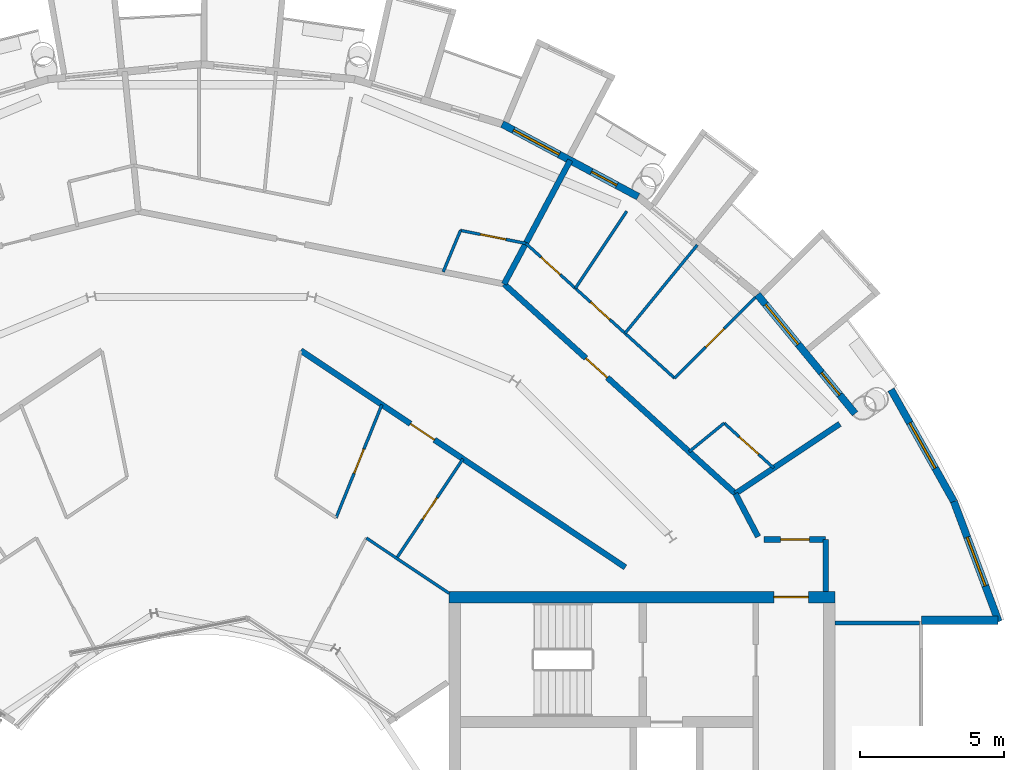
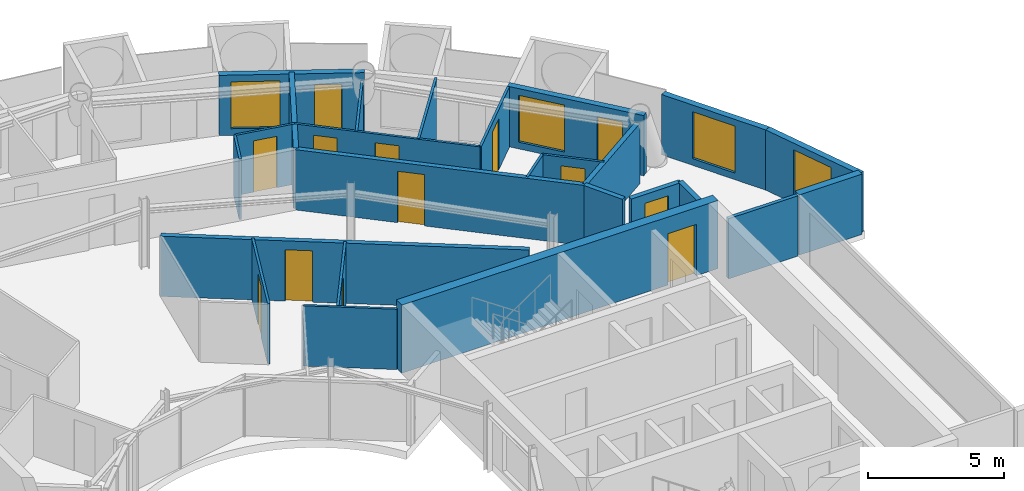
# One storey, part 23 of 28: 25 walls, 13 doors, 4 windows, 17 openings.
"""IFC4 building model written with IfcOpenShell, lengths in metres."""

import ifcopenshell
import ifcopenshell.guid

model = None  # the IFC model being written
_history = None  # IfcOwnerHistory: only IFC2X3 demands one
_inside = {}  # id of a spatial element -> (the spatial element, [elements in it])
_under = {}  # id of a project, library or spatial element -> (it, [spatial elements below it])
_declared = {}  # id of a project -> (the project, [libraries it declares])
_typed = {}  # id of a type object -> (the type object, [elements of that type])
_made_of = {}  # id of a material, layer set ... -> (it, [elements and type objects made of it])


def new_model(schema):
    """Start an empty IFC model of exactly this schema.

    Asked for "IFC4X3", IfcOpenShell would pick the latest addendum, in which some entities
    have other attributes; the version numbers below select the first issue.
    IFC2X3 requires an IfcOwnerHistory on every rooted entity: one is made here for all.
    """
    global model, _history
    if schema == "IFC4X3":
        model = ifcopenshell.file(schema_version=(4, 3, 0, 0))
    else:
        model = ifcopenshell.file(schema=schema)
    _inside.clear()
    _under.clear()
    _declared.clear()
    _typed.clear()
    _made_of.clear()
    _history = None
    if model.schema == "IFC2X3":
        org = make("IfcOrganization", Name="unknown")
        user = make(
            "IfcPersonAndOrganization",
            ThePerson=make("IfcPerson", FamilyName="unknown"),
            TheOrganization=org,
        )
        app = make(
            "IfcApplication",
            ApplicationDeveloper=org,
            Version="unknown",
            ApplicationFullName="unknown",
            ApplicationIdentifier="unknown",
        )
        _history = make(
            "IfcOwnerHistory",
            OwningUser=user,
            OwningApplication=app,
            ChangeAction="ADDED",
            CreationDate=0,
        )
    return model


def make(cls, **values):
    """One entity of the class cls with the attributes given. An attribute that is None is left unset."""
    return model.create_entity(
        cls, **{name: value for name, value in values.items() if value is not None}
    )


def rooted(cls, **values):
    """An entity with a GlobalId (a new one), such as an element, a storey or a relation."""
    return make(cls, GlobalId=ifcopenshell.guid.new(), OwnerHistory=_history, **values)


def si_unit(unit_type, name, prefix=None):
    """IfcSIUnit, for example si_unit("LENGTHUNIT", "METRE", prefix="MILLI")."""
    return make("IfcSIUnit", UnitType=unit_type, Prefix=prefix, Name=name)


def assignment(units):
    """IfcUnitAssignment: the units of a project."""
    return None if units is None else make("IfcUnitAssignment", Units=units)


def point(xyz):
    """IfcCartesianPoint."""
    return None if xyz is None else make("IfcCartesianPoint", Coordinates=xyz)


def direction(xyz):
    """IfcDirection."""
    return None if xyz is None else make("IfcDirection", DirectionRatios=xyz)


def frame(location, z_axis=None, x_axis=None):
    """IfcAxis2Placement3D, a coordinate frame: its origin and axes. An axis left out is left unset."""
    return make(
        "IfcAxis2Placement3D",
        Location=point(location),
        Axis=direction(z_axis),
        RefDirection=direction(x_axis),
    )


def frame_2d(location, x_axis=None):
    """IfcAxis2Placement2D, a coordinate frame in the plane: its origin and x axis."""
    return make(
        "IfcAxis2Placement2D", Location=point(location), RefDirection=direction(x_axis)
    )


def origin():
    """The frame at (0, 0, 0) with its axes left unset."""
    return frame((0.0, 0.0, 0.0))


def place(relative_to, where):
    """IfcLocalPlacement: puts the frame where relative to a parent placement (None: the world)."""
    return make(
        "IfcLocalPlacement", PlacementRelTo=relative_to, RelativePlacement=where
    )


def context(
    kind, dimensions, precision=None, world=None, true_north=None, identifier=None
):
    """IfcGeometricRepresentationContext, for example the 3D "Model" context."""
    return make(
        "IfcGeometricRepresentationContext",
        ContextIdentifier=identifier,
        ContextType=kind,
        CoordinateSpaceDimension=dimensions,
        Precision=precision,
        WorldCoordinateSystem=world,
        TrueNorth=true_north,
    )


def subcontext(parent, identifier, kind, view, scale=None):
    """IfcGeometricRepresentationSubContext, for example "Body" below "Model"."""
    return make(
        "IfcGeometricRepresentationSubContext",
        ContextIdentifier=identifier,
        ContextType=kind,
        ParentContext=parent,
        TargetScale=scale,
        TargetView=view,
    )


def project(units=None, contexts=None):
    """IfcProject with its units and contexts."""
    return rooted(
        "IfcProject",
        Name="project",
        RepresentationContexts=contexts,
        UnitsInContext=assignment(units),
    )


def spatial(cls, under=None, at=None, **own):
    """A site, building, storey or space (cls), placed at a placement, below another one or the project."""
    s = rooted(cls, ObjectPlacement=at, **own)
    if under is not None:
        _under.setdefault(under.id(), (under, []))[1].append(s)
    return s


def profile(cls, at=None, kind="AREA", **sizes):
    """A parametric profile (cls). Its sizes go by their IFC names, for example OverallWidth=200.0."""
    return make(cls, ProfileType=kind, Position=at, **sizes)


def rectangle(**sizes):
    """IfcRectangleProfileDef."""
    return profile("IfcRectangleProfileDef", **sizes)


def extrude(swept, where, along, depth):
    """IfcExtrudedAreaSolid: the profile swept, set in the frame where, extruded along a direction by depth."""
    return make(
        "IfcExtrudedAreaSolid",
        SweptArea=swept,
        Position=where,
        ExtrudedDirection=direction(along),
        Depth=depth,
    )


def shape(context_of_items, identifier, shape_type, items):
    """IfcShapeRepresentation: the items that make up one representation, for example the "Body"."""
    return make(
        "IfcShapeRepresentation",
        ContextOfItems=context_of_items,
        RepresentationIdentifier=identifier,
        RepresentationType=shape_type,
        Items=items,
    )


def material(Name=None, Category=None):
    """IfcMaterial."""
    return make("IfcMaterial", Name=Name, Category=Category)


def layer(
    of_material, thickness, ventilated=None, Name=None, Category=None, Priority=None
):
    """IfcMaterialLayer: one layer of a wall or slab, of a material (None: an air gap)."""
    return make(
        "IfcMaterialLayer",
        Material=of_material,
        LayerThickness=thickness,
        IsVentilated=ventilated,
        Name=Name,
        Category=Category,
        Priority=Priority,
    )


def layer_set(layers, Name=None):
    """IfcMaterialLayerSet."""
    return make("IfcMaterialLayerSet", MaterialLayers=layers, LayerSetName=Name)


def made_of(thing, what):
    """Note that an element or type object is made of a material, layer set ...; save() writes the relation."""
    if what is not None:
        _made_of.setdefault(what.id(), (what, []))[1].append(thing)
    return thing


def type_object(cls, material=None, **own):
    """A type object (cls), such as IfcWallType, which elements share."""
    return made_of(rooted(cls, **own), material)


def element(
    cls,
    number,
    at=None,
    inside=None,
    cuts=None,
    type_object=None,
    material=None,
    context=None,
    identifier="Body",
    shape_type=None,
    held_by="IfcProductDefinitionShape",
    body=None,
    shapes=None,
    **own,
):
    """One element of the class cls, such as IfcWall. Its Tag is "e" and its number.

    at: its placement. inside: the storey or other place that contains it. cuts: it is an
    opening in that element (IfcRelVoidsElement). A single representation is given by context,
    identifier, shape_type and body (its items); several are given by shapes. held_by: the class
    of the entity that holds the representations. save() writes the other relations.
    """
    e = rooted(cls, Tag="e%d" % number, ObjectPlacement=at, **own)
    if body is not None:
        shapes = [shape(context, identifier, shape_type, body)]
    if shapes is not None:
        e.Representation = make(held_by, Representations=shapes)
    if inside is not None:
        _inside.setdefault(inside.id(), (inside, []))[1].append(e)
    if cuts is not None:
        rooted(
            "IfcRelVoidsElement", RelatingBuildingElement=cuts, RelatedOpeningElement=e
        )
    if type_object is not None:
        _typed.setdefault(type_object.id(), (type_object, []))[1].append(e)
    return made_of(e, material)


def fill(opening, filler):
    """IfcRelFillsElement: the door or window that sits in an opening."""
    return rooted(
        "IfcRelFillsElement",
        RelatingOpeningElement=opening,
        RelatedBuildingElement=filler,
    )


def aggregate(whole, parts):
    """IfcRelAggregates: a whole, such as a stair, and the parts it consists of."""
    return rooted("IfcRelAggregates", RelatingObject=whole, RelatedObjects=parts)


def save(model, path):
    """Write the relations noted so far, then the file.

    IfcRelAggregates (storeys below a building ...), IfcRelContainedInSpatialStructure (elements
    in a storey), IfcRelDefinesByType, IfcRelAssociatesMaterial and IfcRelDeclares: one each for
    every whole, place, type object, material and project.
    """
    for whole, parts in _under.values():
        aggregate(whole, parts)
    for where, things in _inside.values():
        rooted(
            "IfcRelContainedInSpatialStructure",
            RelatedElements=things,
            RelatingStructure=where,
        )
    for kind, things in _typed.values():
        rooted("IfcRelDefinesByType", RelatedObjects=things, RelatingType=kind)
    for what, things in _made_of.values():
        rooted("IfcRelAssociatesMaterial", RelatedObjects=things, RelatingMaterial=what)
    for by, libraries in _declared.values():
        rooted("IfcRelDeclares", RelatingContext=by, RelatedDefinitions=libraries)
    model.write(path)


model = new_model("IFC4")

# Units and contexts
model_context = context("Model", 3, precision=1e-05, world=origin(), true_north=direction((0.0, 1.0)))
body_context = subcontext(model_context, "Body", "Model", "MODEL_VIEW")
ifc_project = project(units=[si_unit("LENGTHUNIT", "METRE"), si_unit("AREAUNIT", "SQUARE_METRE"), si_unit("VOLUMEUNIT", "CUBIC_METRE"), si_unit("PLANEANGLEUNIT", "RADIAN"), si_unit("MASSUNIT", "GRAM", prefix="KILO")], contexts=[model_context])

# Site, building, storey
site_placement = place(None, origin())
site = spatial("IfcSite", under=ifc_project, at=site_placement, CompositionType="ELEMENT")
building_placement = place(site_placement, origin())
building = spatial("IfcBuilding", under=site, at=building_placement, Name="Maasbend Ring Residences", CompositionType="ELEMENT")
storey_placement = place(building_placement, frame((0.0, 0.0, 231.0)))
storey = spatial("IfcBuildingStorey", under=building, at=storey_placement, Name="L66", CompositionType="ELEMENT", Elevation=231.0)

# Wall, opening, door
ifc_material_1 = material(Name="Concrete C50/60", Category="concrete")
ifc_layer_1 = layer(ifc_material_1, 0.39990234375)
ifc_layer_set_1 = layer_set([ifc_layer_1], Name="Concrete C50/60")
wall_type_1 = type_object("IfcWallType", Name="CORE WALL 400 C50/60", PredefinedType="SHEAR", material=ifc_layer_set_1)
wall_1_placement = place(storey_placement, frame((22.0, 8.800048828125, 0.0), z_axis=(0.0, 0.0, 1.0), x_axis=(-1.0, 0.0, 0.0)))
wall_1 = element("IfcWall", 1, at=wall_1_placement, inside=storey, type_object=wall_type_1, Name="L66 core E wall PN", PredefinedType="SHEAR", context=body_context, shape_type="SweptSolid", body=[
    extrude(rectangle(XDim=13.39990234375, YDim=0.39990234375, at=frame_2d((6.699951171875, 0.0))), origin(), (0.0, 0.0, 1.0), 3.050048828125),
])
opening_1_placement = place(wall_1_placement, frame((0.925048828125, 0.0, 0.0)))
opening_1 = element("IfcOpeningElement", 2, at=opening_1_placement, cuts=wall_1, Name="Opening D-E6614", PredefinedType="OPENING", context=body_context, shape_type="SweptSolid", body=[
    extrude(rectangle(XDim=1.199951171875, YDim=2.300048828125, at=frame_2d((0.60009765625, 1.14990234375))), frame((0.0, 0.2099609375, 0.0), z_axis=(0.0, -1.0, 0.0), x_axis=(1.0, 0.0, 0.0)), (0.0, 0.0, 1.0), 0.419921875),
])
ifc_material_2 = material(Name="Steel, powder coated", Category="steel")
door_type_1 = type_object("IfcDoorType", Name="CORRIDOR DOOR 1200 X 2300 FD30S", OperationType="NOTDEFINED", PredefinedType="DOOR", material=ifc_material_2)
door_1_placement = place(opening_1_placement, origin())
door_1 = element("IfcDoor", 3, at=door_1_placement, inside=storey, type_object=door_type_1, Name="Corridor door L66", OperationType="SINGLE_SWING_RIGHT", OverallHeight=2.300048828125, OverallWidth=1.199951171875, PredefinedType="DOOR", context=body_context, shape_type="SweptSolid", body=[
    extrude(rectangle(XDim=1.199951171875, YDim=2.300048828125, at=frame_2d((0.60009765625, 1.14990234375))), frame((0.0, 0.02490234375, 0.0), z_axis=(0.0, -1.0, 0.0), x_axis=(1.0, 0.0, 0.0)), (0.0, 0.0, 1.0), 0.050048828125),
])
fill(opening_1, door_1)

# Wall
ifc_material_3 = material(Name="Concrete C30/37", Category="concrete")
ifc_layer_2 = layer(ifc_material_3, 0.199951171875)
ifc_layer_set_2 = layer_set([ifc_layer_2], Name="Concrete C30/37")
wall_type_2 = type_object("IfcWallType", Name="CORRIDOR WALL 200 CONCRETE", PredefinedType="PARTITIONING", material=ifc_layer_set_2)
wall_2_placement = place(storey_placement, frame((21.675048828125, 9.0, 0.0), z_axis=(0.0, 0.0, 1.0), x_axis=(0.0, 1.0, 0.0)))
element("IfcWall", 4, at=wall_2_placement, inside=storey, type_object=wall_type_2, Name="U-L66-w013", PredefinedType="PARTITIONING", context=body_context, shape_type="SweptSolid", body=[
    extrude(rectangle(XDim=1.800048828125, YDim=0.199951171875, at=frame_2d((0.89990234375, 0.0))), origin(), (0.0, 0.0, 1.0), 2.699951171875),
])

# Wall, opening, door
wall_3_placement = place(storey_placement, frame((19.54296875, 10.800048828125, 0.0), z_axis=(0.0, 0.0, 1.0), x_axis=(1.0, 0.0, 0.0)))
wall_3 = element("IfcWall", 5, at=wall_3_placement, inside=storey, type_object=wall_type_2, Name="U-L66-w086", PredefinedType="PARTITIONING", context=body_context, shape_type="SweptSolid", body=[
    extrude(rectangle(XDim=2.132080078125, YDim=0.199951171875, at=frame_2d((1.06591796875, 0.0))), origin(), (0.0, 0.0, 1.0), 2.699951171875),
])
opening_2_placement = place(wall_3_placement, frame((0.56591796875, 0.0, 0.0)))
opening_2 = element("IfcOpeningElement", 6, at=opening_2_placement, cuts=wall_3, Name="Opening D-6660", PredefinedType="OPENING", context=body_context, shape_type="SweptSolid", body=[
    extrude(rectangle(XDim=1.0, YDim=2.300048828125, at=frame_2d((0.5, 1.14990234375))), frame((0.0, 0.10986328125, 0.0), z_axis=(0.0, -1.0, 0.0), x_axis=(1.0, 0.0, 0.0)), (0.0, 0.0, 1.0), 0.219970703125),
])
ifc_material_4 = material(Name="Timber, painted", Category="wood")
door_type_2 = type_object("IfcDoorType", Name="ROOM DOOR 1000 X 2300", OperationType="NOTDEFINED", PredefinedType="DOOR", material=ifc_material_4)
door_2_placement = place(opening_2_placement, origin())
door_2 = element("IfcDoor", 7, at=door_2_placement, inside=storey, type_object=door_type_2, Name="D-6660", OperationType="SINGLE_SWING_RIGHT", OverallHeight=2.300048828125, OverallWidth=1.0, PredefinedType="DOOR", context=body_context, shape_type="SweptSolid", body=[
    extrude(rectangle(XDim=1.0, YDim=2.300048828125, at=frame_2d((0.5, 1.14990234375))), frame((0.0, 0.02490234375, 0.0), z_axis=(0.0, -1.0, 0.0), x_axis=(1.0, 0.0, 0.0)), (0.0, 0.0, 1.0), 0.050048828125),
])
fill(opening_2, door_2)

wall_4_placement = place(storey_placement, frame((3.452880859375, 17.360107421875, 0.0), z_axis=(0.0, 0.0, 1.0), x_axis=(0.831437137577, -0.555618831806, 0.0)))
wall_4 = element("IfcWall", 8, at=wall_4_placement, inside=storey, type_object=wall_type_2, Name="U-L66-w092", PredefinedType="PARTITIONING", context=body_context, shape_type="SweptSolid", body=[
    extrude(rectangle(XDim=13.549072265625, YDim=0.199951171875, at=frame_2d((6.7744140625, 0.0))), origin(), (0.0, 0.0, 1.0), 2.699951171875),
])
opening_3_placement = place(wall_4_placement, frame((4.5810546875, 0.0, 0.0)))
opening_3 = element("IfcOpeningElement", 9, at=opening_3_placement, cuts=wall_4, Name="Opening D-6619", PredefinedType="OPENING", context=body_context, shape_type="SweptSolid", body=[
    extrude(rectangle(XDim=1.0, YDim=2.300048828125, at=frame_2d((0.5, 1.14990234375))), frame((0.0, 0.10986328125, 0.0), z_axis=(0.0, -1.0, 0.0), x_axis=(1.0, 0.0, 0.0)), (0.0, 0.0, 1.0), 0.219970703125),
])
ifc_material_5 = material(Name="Timber, fire-rated, painted", Category="wood")
door_type_3 = type_object("IfcDoorType", Name="FLAT ENTRANCE DOOR 1000 X 2300 FIRE-RATED", OperationType="NOTDEFINED", PredefinedType="DOOR", material=ifc_material_5)
door_3_placement = place(opening_3_placement, origin())
door_3 = element("IfcDoor", 10, at=door_3_placement, inside=storey, type_object=door_type_3, Name="D-6619", OperationType="SINGLE_SWING_LEFT", OverallHeight=2.300048828125, OverallWidth=1.0, PredefinedType="DOOR", context=body_context, shape_type="SweptSolid", body=[
    extrude(rectangle(XDim=1.0, YDim=2.300048828125, at=frame_2d((0.5, 1.14990234375))), frame((0.0, 0.02490234375, 0.0), z_axis=(0.0, -1.0, 0.0), x_axis=(1.0, 0.0, 0.0)), (0.0, 0.0, 1.0), 0.050048828125),
])
fill(opening_3, door_3)

wall_5_placement = place(storey_placement, frame((10.511962890625, 19.6669921875, 0.0), z_axis=(0.0, 0.0, 1.0), x_axis=(0.740947367223, -0.671563101283, 0.0)))
wall_5 = element("IfcWall", 11, at=wall_5_placement, inside=storey, type_object=wall_type_2, Name="U-L66-w095", PredefinedType="PARTITIONING", context=body_context, shape_type="SweptSolid", body=[
    extrude(rectangle(XDim=10.83740234375, YDim=0.199951171875, at=frame_2d((5.418701171875, 0.0))), origin(), (0.0, 0.0, 1.0), 2.699951171875),
])
opening_4_placement = place(wall_5_placement, frame((3.8349609375, 0.0, 0.0)))
opening_4 = element("IfcOpeningElement", 12, at=opening_4_placement, cuts=wall_5, Name="Opening D-6601", PredefinedType="OPENING", context=body_context, shape_type="SweptSolid", body=[
    extrude(rectangle(XDim=1.0, YDim=2.300048828125, at=frame_2d((0.5, 1.14990234375))), frame((0.0, 0.10986328125, 0.0), z_axis=(0.0, -1.0, 0.0), x_axis=(1.0, 0.0, 0.0)), (0.0, 0.0, 1.0), 0.219970703125),
])
door_4_placement = place(opening_4_placement, origin())
door_4 = element("IfcDoor", 13, at=door_4_placement, inside=storey, type_object=door_type_3, Name="D-6601", OperationType="SINGLE_SWING_LEFT", OverallHeight=2.300048828125, OverallWidth=1.0, PredefinedType="DOOR", context=body_context, shape_type="SweptSolid", body=[
    extrude(rectangle(XDim=1.0, YDim=2.300048828125, at=frame_2d((0.5, 1.14990234375))), frame((0.0, 0.02490234375, 0.0), z_axis=(0.0, -1.0, 0.0), x_axis=(1.0, 0.0, 0.0)), (0.0, 0.0, 1.0), 0.050048828125),
])
fill(opening_4, door_4)

# Wall
wall_6_placement = place(storey_placement, frame((18.5419921875, 12.388916015625, 0.0), z_axis=(0.0, 0.0, 1.0), x_axis=(0.465812036273, -0.88488369115, 0.0)))
element("IfcWall", 14, at=wall_6_placement, inside=storey, type_object=wall_type_2, Name="U-L66-w100", PredefinedType="PARTITIONING", context=body_context, shape_type="SweptSolid", body=[
    extrude(rectangle(XDim=1.687255859375, YDim=0.199951171875, at=frame_2d((0.84375, 0.0))), origin(), (0.0, 0.0, 1.0), 2.699951171875),
])

# Wall, openings, door, window
ifc_material_6 = material(Name="Aluminium clad insulated panel", Category="aluminium")
ifc_layer_3 = layer(ifc_material_6, 0.25)
ifc_layer_set_3 = layer_set([ifc_layer_3], Name="EW-GL")
wall_type_3 = type_object("IfcWallType", Name="EW-GL", PredefinedType="SOLIDWALL", material=ifc_layer_set_3)
wall_7_placement = place(storey_placement, frame((22.698974609375, 15.1669921875, 0.0), z_axis=(0.0, 0.0, 1.0), x_axis=(-0.634382322723, 0.773019449054, 0.0)))
wall_7 = element("IfcWall", 15, at=wall_7_placement, inside=storey, type_object=wall_type_3, Name="External wall N01", PredefinedType="SOLIDWALL", context=body_context, shape_type="SweptSolid", body=[
    extrude(rectangle(XDim=5.351806640625, YDim=0.25, at=frame_2d((2.67578125, 0.0))), origin(), (0.0, 0.0, 1.0), 2.699951171875),
])
opening_5_placement = place(wall_7_placement, frame((0.841064453125, 0.0, 0.0)))
opening_5 = element("IfcOpeningElement", 16, at=opening_5_placement, cuts=wall_7, Name="Opening D-LG", PredefinedType="OPENING", context=body_context, shape_type="SweptSolid", body=[
    extrude(rectangle(XDim=1.0, YDim=2.199951171875, at=frame_2d((0.5, 1.10009765625))), frame((0.0, 0.135009765625, 0.0), z_axis=(0.0, -1.0, 0.0), x_axis=(1.0, 0.0, 0.0)), (0.0, 0.0, 1.0), 0.27001953125),
])
opening_6_placement = place(wall_7_placement, frame((3.110595703125, 0.0, 0.300048828125)))
opening_6 = element("IfcOpeningElement", 17, at=opening_6_placement, cuts=wall_7, Name="Opening W-BX", PredefinedType="OPENING", context=body_context, shape_type="SweptSolid", body=[
    extrude(rectangle(XDim=1.800048828125, YDim=2.10009765625, at=frame_2d((0.89990234375, 1.050048828125))), frame((0.0, 0.135009765625, 0.0), z_axis=(0.0, -1.0, 0.0), x_axis=(1.0, 0.0, 0.0)), (0.0, 0.0, 1.0), 0.27001953125),
])
ifc_material_7 = material(Name="Aluminium and clear glass", Category="aluminium")
door_type_4 = type_object("IfcDoorType", Name="D-LG", OperationType="SINGLE_SWING_LEFT", PredefinedType="DOOR", material=ifc_material_7)
door_5_placement = place(opening_5_placement, origin())
door_5 = element("IfcDoor", 18, at=door_5_placement, inside=storey, type_object=door_type_4, Name="Loggia door N01", OperationType="SINGLE_SWING_LEFT", OverallHeight=2.199951171875, OverallWidth=1.0, PredefinedType="DOOR", context=body_context, shape_type="SweptSolid", body=[
    extrude(rectangle(XDim=1.0, YDim=2.199951171875, at=frame_2d((0.5, 1.10009765625))), frame((0.0, 0.02490234375, 0.0), z_axis=(0.0, -1.0, 0.0), x_axis=(1.0, 0.0, 0.0)), (0.0, 0.0, 1.0), 0.050048828125),
])
fill(opening_5, door_5)
ifc_material_8 = material(Name="Aluminium and clear glass", Category="aluminium")
window_type = type_object("IfcWindowType", Name="W-BX", PartitioningType="DOUBLE_PANEL_VERTICAL", PredefinedType="WINDOW", material=ifc_material_8)
window_1_placement = place(opening_6_placement, origin())
window_1 = element("IfcWindow", 19, at=window_1_placement, inside=storey, type_object=window_type, Name="Window N02 room to box", OverallHeight=2.10009765625, OverallWidth=1.800048828125, PartitioningType="SINGLE_PANEL", PredefinedType="WINDOW", context=body_context, shape_type="SweptSolid", body=[
    extrude(rectangle(XDim=1.800048828125, YDim=2.10009765625, at=frame_2d((0.89990234375, 1.050048828125))), frame((0.0, 0.030029296875, 0.0), z_axis=(0.0, -1.0, 0.0), x_axis=(1.0, 0.0, 0.0)), (0.0, 0.0, 1.0), 0.06005859375),
])
fill(opening_6, window_1)

wall_8_placement = place(storey_placement, frame((15.1669921875, 22.698974609375, 0.0), z_axis=(0.0, 0.0, 1.0), x_axis=(-0.881915646801, 0.471407246368, 0.0)))
wall_8 = element("IfcWall", 20, at=wall_8_placement, inside=storey, type_object=wall_type_3, Name="External wall N03", PredefinedType="SOLIDWALL", context=body_context, shape_type="SweptSolid", body=[
    extrude(rectangle(XDim=5.35205078125, YDim=0.25, at=frame_2d((2.676025390625, 0.0))), origin(), (0.0, 0.0, 1.0), 2.699951171875),
])
opening_7_placement = place(wall_8_placement, frame((0.841064453125, 0.0, 0.0)))
opening_7 = element("IfcOpeningElement", 21, at=opening_7_placement, cuts=wall_8, Name="Opening D-LG", PredefinedType="OPENING", context=body_context, shape_type="SweptSolid", body=[
    extrude(rectangle(XDim=1.0, YDim=2.199951171875, at=frame_2d((0.5, 1.10009765625))), frame((0.0, 0.135009765625, 0.0), z_axis=(0.0, -1.0, 0.0), x_axis=(1.0, 0.0, 0.0)), (0.0, 0.0, 1.0), 0.27001953125),
])
opening_8_placement = place(wall_8_placement, frame((3.110595703125, 0.0, 0.300048828125)))
opening_8 = element("IfcOpeningElement", 22, at=opening_8_placement, cuts=wall_8, Name="Opening W-BX", PredefinedType="OPENING", context=body_context, shape_type="SweptSolid", body=[
    extrude(rectangle(XDim=1.800048828125, YDim=2.10009765625, at=frame_2d((0.89990234375, 1.050048828125))), frame((0.0, 0.135009765625, 0.0), z_axis=(0.0, -1.0, 0.0), x_axis=(1.0, 0.0, 0.0)), (0.0, 0.0, 1.0), 0.27001953125),
])
door_6_placement = place(opening_7_placement, origin())
door_6 = element("IfcDoor", 23, at=door_6_placement, inside=storey, type_object=door_type_4, Name="Loggia door N05", OperationType="SINGLE_SWING_LEFT", OverallHeight=2.199951171875, OverallWidth=1.0, PredefinedType="DOOR", context=body_context, shape_type="SweptSolid", body=[
    extrude(rectangle(XDim=1.0, YDim=2.199951171875, at=frame_2d((0.5, 1.10009765625))), frame((0.0, 0.02490234375, 0.0), z_axis=(0.0, -1.0, 0.0), x_axis=(1.0, 0.0, 0.0)), (0.0, 0.0, 1.0), 0.050048828125),
])
fill(opening_7, door_6)
window_2_placement = place(opening_8_placement, origin())
window_2 = element("IfcWindow", 24, at=window_2_placement, inside=storey, type_object=window_type, Name="Window N06 room to box", OverallHeight=2.10009765625, OverallWidth=1.800048828125, PartitioningType="SINGLE_PANEL", PredefinedType="WINDOW", context=body_context, shape_type="SweptSolid", body=[
    extrude(rectangle(XDim=1.800048828125, YDim=2.10009765625, at=frame_2d((0.89990234375, 1.050048828125))), frame((0.0, 0.030029296875, 0.0), z_axis=(0.0, -1.0, 0.0), x_axis=(1.0, 0.0, 0.0)), (0.0, 0.0, 1.0), 0.06005859375),
])
fill(opening_8, window_2)

# Wall, opening, window
ifc_material_9 = material(Name="Aluminium clad insulated panel", Category="aluminium")
ifc_layer_4 = layer(ifc_material_9, 0.25)
ifc_layer_set_4 = layer_set([ifc_layer_4], Name="EW-HORN")
wall_type_4 = type_object("IfcWallType", Name="EW-HORN", PredefinedType="SOLIDWALL", material=ifc_layer_set_4)
wall_9_placement = place(storey_placement, frame((27.681884765625, 7.945068359375, 0.0), z_axis=(0.0, 0.0, 1.0), x_axis=(-0.349247811493, 0.937030397675, 0.0)))
wall_9 = element("IfcWall", 25, at=wall_9_placement, inside=storey, type_object=wall_type_4, Name="Horn wall 1.1", PredefinedType="SOLIDWALL", context=body_context, shape_type="SweptSolid", body=[
    extrude(rectangle(XDim=4.4521484375, YDim=0.25, at=frame_2d((2.22607421875, 0.0))), origin(), (0.0, 0.0, 1.0), 2.699951171875),
])
opening_9_placement = place(wall_9_placement, frame((1.32666015625, 0.0, 0.300048828125)))
opening_9 = element("IfcOpeningElement", 26, at=opening_9_placement, cuts=wall_9, Name="Opening W-BX", PredefinedType="OPENING", context=body_context, shape_type="SweptSolid", body=[
    extrude(rectangle(XDim=1.800048828125, YDim=2.10009765625, at=frame_2d((0.89990234375, 1.050048828125))), frame((0.0, 0.135009765625, 0.0), z_axis=(0.0, -1.0, 0.0), x_axis=(1.0, 0.0, 0.0)), (0.0, 0.0, 1.0), 0.27001953125),
])
window_3_placement = place(opening_9_placement, origin())
window_3 = element("IfcWindow", 27, at=window_3_placement, inside=storey, type_object=window_type, Name="Horn window 1.1", OverallHeight=2.10009765625, OverallWidth=1.800048828125, PartitioningType="SINGLE_PANEL", PredefinedType="WINDOW", context=body_context, shape_type="SweptSolid", body=[
    extrude(rectangle(XDim=1.800048828125, YDim=2.10009765625, at=frame_2d((0.89990234375, 1.050048828125))), frame((0.0, 0.030029296875, 0.0), z_axis=(0.0, -1.0, 0.0), x_axis=(1.0, 0.0, 0.0)), (0.0, 0.0, 1.0), 0.06005859375),
])
fill(opening_9, window_3)

wall_10_placement = place(storey_placement, frame((26.126953125, 12.116943359375, 0.0), z_axis=(0.0, 0.0, 1.0), x_axis=(-0.489696356642, 0.871893042919, 0.0)))
wall_10 = element("IfcWall", 28, at=wall_10_placement, inside=storey, type_object=wall_type_4, Name="Horn wall 1.2", PredefinedType="SOLIDWALL", context=body_context, shape_type="SweptSolid", body=[
    extrude(rectangle(XDim=4.45361328125, YDim=0.25, at=frame_2d((2.226806640625, 0.0))), origin(), (0.0, 0.0, 1.0), 2.699951171875),
])
opening_10_placement = place(wall_10_placement, frame((1.32666015625, 0.0, 0.300048828125)))
opening_10 = element("IfcOpeningElement", 29, at=opening_10_placement, cuts=wall_10, Name="Opening W-BX", PredefinedType="OPENING", context=body_context, shape_type="SweptSolid", body=[
    extrude(rectangle(XDim=1.800048828125, YDim=2.10009765625, at=frame_2d((0.89990234375, 1.050048828125))), frame((0.0, 0.135009765625, 0.0), z_axis=(0.0, -1.0, 0.0), x_axis=(1.0, 0.0, 0.0)), (0.0, 0.0, 1.0), 0.27001953125),
])
window_4_placement = place(opening_10_placement, origin())
window_4 = element("IfcWindow", 30, at=window_4_placement, inside=storey, type_object=window_type, Name="Horn window 1.2", OverallHeight=2.10009765625, OverallWidth=1.800048828125, PartitioningType="SINGLE_PANEL", PredefinedType="WINDOW", context=body_context, shape_type="SweptSolid", body=[
    extrude(rectangle(XDim=1.800048828125, YDim=2.10009765625, at=frame_2d((0.89990234375, 1.050048828125))), frame((0.0, 0.030029296875, 0.0), z_axis=(0.0, -1.0, 0.0), x_axis=(1.0, 0.0, 0.0)), (0.0, 0.0, 1.0), 0.06005859375),
])
fill(opening_10, window_4)

# Wall
ifc_material_10 = material(Name="Aluminium clad insulated panel", Category="aluminium")
ifc_layer_5 = layer(ifc_material_10, 0.300048828125)
ifc_layer_set_5 = layer_set([ifc_layer_5], Name="EW-RET")
wall_type_5 = type_object("IfcWallType", Name="EW-RET", PredefinedType="SOLIDWALL", material=ifc_layer_set_5)
wall_11_placement = place(storey_placement, frame((25.0, 8.0, 0.0), z_axis=(0.0, 0.0, 1.0), x_axis=(1.0, 0.0, 0.0)))
element("IfcWall", 31, at=wall_11_placement, inside=storey, type_object=wall_type_5, Name="Notch return wall east north", PredefinedType="SOLIDWALL", context=body_context, shape_type="SweptSolid", body=[
    extrude(rectangle(XDim=2.6669921875, YDim=0.300048828125, at=frame_2d((1.33349609375, 0.0))), origin(), (0.0, 0.0, 1.0), 2.699951171875),
])

# Wall, opening, door
ifc_material_11 = material(Name="Gypsum board on steel studs", Category="steel")
ifc_layer_6 = layer(ifc_material_11, 0.10009765625)
ifc_layer_set_6 = layer_set([ifc_layer_6], Name="PARTITION 100 GYPSUM")
wall_type_6 = type_object("IfcWallType", Name="PARTITION 100 GYPSUM", PredefinedType="PARTITIONING", material=ifc_layer_set_6)
wall_12_placement = place(storey_placement, frame((4.677978515625, 11.551025390625, 0.0), z_axis=(0.0, 0.0, 1.0), x_axis=(0.375509828455, 0.926818411952, 0.0)))
wall_12 = element("IfcWall", 32, at=wall_12_placement, inside=storey, type_object=wall_type_6, Name="U-L66-w062", PredefinedType="PARTITIONING", context=body_context, shape_type="SweptSolid", body=[
    extrude(rectangle(XDim=4.237060546875, YDim=0.10009765625, at=frame_2d((2.11865234375, 0.0))), origin(), (0.0, 0.0, 1.0), 2.699951171875),
])
opening_11_placement = place(wall_12_placement, frame((1.6689453125, 0.0, 0.0)))
opening_11 = element("IfcOpeningElement", 33, at=opening_11_placement, cuts=wall_12, Name="Opening D-6620", PredefinedType="OPENING", context=body_context, shape_type="SweptSolid", body=[
    extrude(rectangle(XDim=0.89990234375, YDim=2.300048828125, at=frame_2d((0.449951171875, 1.14990234375))), frame((0.0, 0.06005859375, 0.0), z_axis=(0.0, -1.0, 0.0), x_axis=(1.0, 0.0, 0.0)), (0.0, 0.0, 1.0), 0.1201171875),
])
ifc_material_12 = material(Name="Timber, painted", Category="wood")
door_type_5 = type_object("IfcDoorType", Name="INTERNAL DOOR 900 X 2300", OperationType="NOTDEFINED", PredefinedType="DOOR", material=ifc_material_12)
door_7_placement = place(opening_11_placement, origin())
door_7 = element("IfcDoor", 34, at=door_7_placement, inside=storey, type_object=door_type_5, Name="D-6620", OperationType="SINGLE_SWING_RIGHT", OverallHeight=2.300048828125, OverallWidth=0.89990234375, PredefinedType="DOOR", context=body_context, shape_type="SweptSolid", body=[
    extrude(rectangle(XDim=0.89990234375, YDim=2.300048828125, at=frame_2d((0.449951171875, 1.14990234375))), frame((0.0, 0.02490234375, 0.0), z_axis=(0.0, -1.0, 0.0), x_axis=(1.0, 0.0, 0.0)), (0.0, 0.0, 1.0), 0.050048828125),
])
fill(opening_11, door_7)

wall_13_placement = place(storey_placement, frame((6.780029296875, 10.14697265625, 0.0), z_axis=(0.0, 0.0, 1.0), x_axis=(0.555528237031, 0.831497671591, 0.0)))
wall_13 = element("IfcWall", 35, at=wall_13_placement, inside=storey, type_object=wall_type_6, Name="U-L66-w066", PredefinedType="PARTITIONING", context=body_context, shape_type="SweptSolid", body=[
    extrude(rectangle(XDim=4.149169921875, YDim=0.10009765625, at=frame_2d((2.07470703125, 0.0))), origin(), (0.0, 0.0, 1.0), 2.699951171875),
])
opening_12_placement = place(wall_13_placement, frame((1.625, 0.0, 0.0)))
opening_12 = element("IfcOpeningElement", 36, at=opening_12_placement, cuts=wall_13, Name="Opening D-6621", PredefinedType="OPENING", context=body_context, shape_type="SweptSolid", body=[
    extrude(rectangle(XDim=0.89990234375, YDim=2.300048828125, at=frame_2d((0.449951171875, 1.14990234375))), frame((0.0, 0.06005859375, 0.0), z_axis=(0.0, -1.0, 0.0), x_axis=(1.0, 0.0, 0.0)), (0.0, 0.0, 1.0), 0.1201171875),
])
door_8_placement = place(opening_12_placement, origin())
door_8 = element("IfcDoor", 37, at=door_8_placement, inside=storey, type_object=door_type_5, Name="D-6621", OperationType="SINGLE_SWING_RIGHT", OverallHeight=2.300048828125, OverallWidth=0.89990234375, PredefinedType="DOOR", context=body_context, shape_type="SweptSolid", body=[
    extrude(rectangle(XDim=0.89990234375, YDim=2.300048828125, at=frame_2d((0.449951171875, 1.14990234375))), frame((0.0, 0.02490234375, 0.0), z_axis=(0.0, -1.0, 0.0), x_axis=(1.0, 0.0, 0.0)), (0.0, 0.0, 1.0), 0.050048828125),
])
fill(opening_12, door_8)

# Walls
wall_14_placement = place(storey_placement, frame((8.39599609375, 20.087890625, 0.0), z_axis=(0.0, 0.0, 1.0), x_axis=(0.385469858593, 0.922720427929, 0.0)))
element("IfcWall", 38, at=wall_14_placement, inside=storey, type_object=wall_type_6, Name="U-L66-w067", PredefinedType="PARTITIONING", context=body_context, shape_type="SweptSolid", body=[
    extrude(rectangle(XDim=1.561767578125, YDim=0.10009765625, at=frame_2d((0.78076171875, 0.0))), origin(), (0.0, 0.0, 1.0), 2.699951171875),
])
wall_15_placement = place(storey_placement, frame((12.988037109375, 19.51806640625, 0.0), z_axis=(0.0, 0.0, 1.0), x_axis=(0.553700853122, 0.832715656903, 0.0)))
element("IfcWall", 39, at=wall_15_placement, inside=storey, type_object=wall_type_6, Name="U-L66-w072", PredefinedType="PARTITIONING", context=body_context, shape_type="SweptSolid", body=[
    extrude(rectangle(XDim=3.21484375, YDim=0.10009765625, at=frame_2d((1.607421875, 0.0))), origin(), (0.0, 0.0, 1.0), 2.699951171875),
])
wall_16_placement = place(storey_placement, frame((14.708984375, 17.9580078125, 0.0), z_axis=(0.0, 0.0, 1.0), x_axis=(0.633590098448, 0.773668913133, 0.0)))
element("IfcWall", 40, at=wall_16_placement, inside=storey, type_object=wall_type_6, Name="U-L66-w074", PredefinedType="PARTITIONING", context=body_context, shape_type="SweptSolid", body=[
    extrude(rectangle(XDim=3.961669921875, YDim=0.10009765625, at=frame_2d((1.98095703125, 0.0))), origin(), (0.0, 0.0, 1.0), 2.699951171875),
])

# Wall, opening, door
wall_17_placement = place(storey_placement, frame((16.429931640625, 16.39794921875, 0.0), z_axis=(0.0, 0.0, 1.0), x_axis=(0.707722727509, 0.706490297858, 0.0)))
wall_17 = element("IfcWall", 41, at=wall_17_placement, inside=storey, type_object=wall_type_6, Name="U-L66-w076", PredefinedType="PARTITIONING", context=body_context, shape_type="SweptSolid", body=[
    extrude(rectangle(XDim=3.9619140625, YDim=0.10009765625, at=frame_2d((1.98095703125, 0.0))), origin(), (0.0, 0.0, 1.0), 2.699951171875),
])
opening_13_placement = place(wall_17_placement, frame((1.531005859375, 0.0, 0.0)))
opening_13 = element("IfcOpeningElement", 42, at=opening_13_placement, cuts=wall_17, Name="Opening D-6603", PredefinedType="OPENING", context=body_context, shape_type="SweptSolid", body=[
    extrude(rectangle(XDim=0.89990234375, YDim=2.300048828125, at=frame_2d((0.449951171875, 1.14990234375))), frame((0.0, 0.06005859375, 0.0), z_axis=(0.0, -1.0, 0.0), x_axis=(1.0, 0.0, 0.0)), (0.0, 0.0, 1.0), 0.1201171875),
])
door_9_placement = place(opening_13_placement, origin())
door_9 = element("IfcDoor", 43, at=door_9_placement, inside=storey, type_object=door_type_5, Name="D-6603", OperationType="SINGLE_SWING_RIGHT", OverallHeight=2.300048828125, OverallWidth=0.89990234375, PredefinedType="DOOR", context=body_context, shape_type="SweptSolid", body=[
    extrude(rectangle(XDim=0.89990234375, YDim=2.300048828125, at=frame_2d((0.449951171875, 1.14990234375))), frame((0.0, 0.02490234375, 0.0), z_axis=(0.0, -1.0, 0.0), x_axis=(1.0, 0.0, 0.0)), (0.0, 0.0, 1.0), 0.050048828125),
])
fill(opening_13, door_9)

# Walls
wall_18_placement = place(storey_placement, frame((16.93603515625, 13.844970703125, 0.0), z_axis=(0.0, 0.0, 1.0), x_axis=(0.774283039722, 0.632839453889, 0.0)))
element("IfcWall", 44, at=wall_18_placement, inside=storey, type_object=wall_type_6, Name="U-L66-w078", PredefinedType="PARTITIONING", context=body_context, shape_type="SweptSolid", body=[
    extrude(rectangle(XDim=1.569091796875, YDim=0.10009765625, at=frame_2d((0.78466796875, 0.0))), origin(), (0.0, 0.0, 1.0), 2.699951171875),
])
wall_19_placement = place(storey_placement, frame((5.72998046875, 10.847900390625, 0.0), z_axis=(0.0, 0.0, 1.0), x_axis=(0.831397130511, -0.555678694372, 0.0)))
element("IfcWall", 45, at=wall_19_placement, inside=storey, type_object=wall_type_6, Name="U-L66-w090", PredefinedType="PARTITIONING", context=body_context, shape_type="SweptSolid", body=[
    extrude(rectangle(XDim=3.453369140625, YDim=0.10009765625, at=frame_2d((1.7265625, 0.0))), origin(), (0.0, 0.0, 1.0), 2.699951171875),
])

# Wall, opening, door
wall_20_placement = place(storey_placement, frame((8.998046875, 21.529052734375, 0.0), z_axis=(0.0, 0.0, 1.0), x_axis=(0.980783177308, -0.19510089469, 0.0)))
wall_20 = element("IfcWall", 46, at=wall_20_placement, inside=storey, type_object=wall_type_6, Name="U-L66-w104", PredefinedType="PARTITIONING", context=body_context, shape_type="SweptSolid", body=[
    extrude(rectangle(XDim=2.3125, YDim=0.10009765625, at=frame_2d((1.15625, 0.0))), origin(), (0.0, 0.0, 1.0), 2.699951171875),
])
opening_14_placement = place(wall_20_placement, frame((0.7060546875, 0.0, 0.0)))
opening_14 = element("IfcOpeningElement", 47, at=opening_14_placement, cuts=wall_20, Name="Opening D-6607", PredefinedType="OPENING", context=body_context, shape_type="SweptSolid", body=[
    extrude(rectangle(XDim=0.89990234375, YDim=2.300048828125, at=frame_2d((0.449951171875, 1.14990234375))), frame((0.0, 0.06005859375, 0.0), z_axis=(0.0, -1.0, 0.0), x_axis=(1.0, 0.0, 0.0)), (0.0, 0.0, 1.0), 0.1201171875),
])
door_10_placement = place(opening_14_placement, origin())
door_10 = element("IfcDoor", 48, at=door_10_placement, inside=storey, type_object=door_type_5, Name="D-6607", OperationType="SINGLE_SWING_RIGHT", OverallHeight=2.300048828125, OverallWidth=0.89990234375, PredefinedType="DOOR", context=body_context, shape_type="SweptSolid", body=[
    extrude(rectangle(XDim=0.89990234375, YDim=2.300048828125, at=frame_2d((0.449951171875, 1.14990234375))), frame((0.0, 0.02490234375, 0.0), z_axis=(0.0, -1.0, 0.0), x_axis=(1.0, 0.0, 0.0)), (0.0, 0.0, 1.0), 0.050048828125),
])
fill(opening_14, door_10)

# Wall, openings, doors
wall_21_placement = place(storey_placement, frame((11.26611328125, 21.077880859375, 0.0), z_axis=(0.0, 0.0, 1.0), x_axis=(0.74097115376, -0.671536856245, 0.0)))
wall_21 = element("IfcWall", 49, at=wall_21_placement, inside=storey, type_object=wall_type_6, Name="U-L66-w105", PredefinedType="PARTITIONING", context=body_context, shape_type="SweptSolid", body=[
    extrude(rectangle(XDim=6.968994140625, YDim=0.10009765625, at=frame_2d((3.484375, 0.0))), origin(), (0.0, 0.0, 1.0), 2.699951171875),
])
opening_15_placement = place(wall_21_placement, frame((3.033935546875, 0.0, 0.0)))
opening_15 = element("IfcOpeningElement", 50, at=opening_15_placement, cuts=wall_21, Name="Opening D-6604", PredefinedType="OPENING", context=body_context, shape_type="SweptSolid", body=[
    extrude(rectangle(XDim=0.89990234375, YDim=2.300048828125, at=frame_2d((0.449951171875, 1.14990234375))), frame((0.0, 0.06005859375, 0.0), z_axis=(0.0, -1.0, 0.0), x_axis=(1.0, 0.0, 0.0)), (0.0, 0.0, 1.0), 0.1201171875),
])
opening_16_placement = place(wall_21_placement, frame((0.7119140625, 0.0, 0.0)))
opening_16 = element("IfcOpeningElement", 51, at=opening_16_placement, cuts=wall_21, Name="Opening D-6605", PredefinedType="OPENING", context=body_context, shape_type="SweptSolid", body=[
    extrude(rectangle(XDim=0.89990234375, YDim=2.300048828125, at=frame_2d((0.449951171875, 1.14990234375))), frame((0.0, 0.06005859375, 0.0), z_axis=(0.0, -1.0, 0.0), x_axis=(1.0, 0.0, 0.0)), (0.0, 0.0, 1.0), 0.1201171875),
])
door_11_placement = place(opening_15_placement, origin())
door_11 = element("IfcDoor", 52, at=door_11_placement, inside=storey, type_object=door_type_5, Name="D-6604", OperationType="SINGLE_SWING_LEFT", OverallHeight=2.300048828125, OverallWidth=0.89990234375, PredefinedType="DOOR", context=body_context, shape_type="SweptSolid", body=[
    extrude(rectangle(XDim=0.89990234375, YDim=2.300048828125, at=frame_2d((0.449951171875, 1.14990234375))), frame((0.0, 0.02490234375, 0.0), z_axis=(0.0, -1.0, 0.0), x_axis=(1.0, 0.0, 0.0)), (0.0, 0.0, 1.0), 0.050048828125),
])
fill(opening_15, door_11)
door_12_placement = place(opening_16_placement, origin())
door_12 = element("IfcDoor", 53, at=door_12_placement, inside=storey, type_object=door_type_5, Name="D-6605", OperationType="SINGLE_SWING_LEFT", OverallHeight=2.300048828125, OverallWidth=0.89990234375, PredefinedType="DOOR", context=body_context, shape_type="SweptSolid", body=[
    extrude(rectangle(XDim=0.89990234375, YDim=2.300048828125, at=frame_2d((0.449951171875, 1.14990234375))), frame((0.0, 0.02490234375, 0.0), z_axis=(0.0, -1.0, 0.0), x_axis=(1.0, 0.0, 0.0)), (0.0, 0.0, 1.0), 0.050048828125),
])
fill(opening_16, door_12)

# Wall, opening, door
wall_22_placement = place(storey_placement, frame((18.14892578125, 14.840087890625, 0.0), z_axis=(0.0, 0.0, 1.0), x_axis=(0.741127434804, -0.671364376014, 0.0)))
wall_22 = element("IfcWall", 54, at=wall_22_placement, inside=storey, type_object=wall_type_6, Name="U-L66-w106", PredefinedType="PARTITIONING", context=body_context, shape_type="SweptSolid", body=[
    extrude(rectangle(XDim=2.32373046875, YDim=0.10009765625, at=frame_2d((1.161865234375, 0.0))), origin(), (0.0, 0.0, 1.0), 2.699951171875),
])
opening_17_placement = place(wall_22_placement, frame((0.714111328125, 0.0, 0.0)))
opening_17 = element("IfcOpeningElement", 55, at=opening_17_placement, cuts=wall_22, Name="Opening D-6602", PredefinedType="OPENING", context=body_context, shape_type="SweptSolid", body=[
    extrude(rectangle(XDim=0.89990234375, YDim=2.300048828125, at=frame_2d((0.449951171875, 1.14990234375))), frame((0.0, 0.06005859375, 0.0), z_axis=(0.0, -1.0, 0.0), x_axis=(1.0, 0.0, 0.0)), (0.0, 0.0, 1.0), 0.1201171875),
])
door_13_placement = place(opening_17_placement, origin())
door_13 = element("IfcDoor", 56, at=door_13_placement, inside=storey, type_object=door_type_5, Name="D-6602", OperationType="SINGLE_SWING_RIGHT", OverallHeight=2.300048828125, OverallWidth=0.89990234375, PredefinedType="DOOR", context=body_context, shape_type="SweptSolid", body=[
    extrude(rectangle(XDim=0.89990234375, YDim=2.300048828125, at=frame_2d((0.449951171875, 1.14990234375))), frame((0.0, 0.02490234375, 0.0), z_axis=(0.0, -1.0, 0.0), x_axis=(1.0, 0.0, 0.0)), (0.0, 0.0, 1.0), 0.050048828125),
])
fill(opening_17, door_13)

# Walls
ifc_material_13 = material(Name="Gypsum board on steel studs", Category="steel")
ifc_layer_7 = layer(ifc_material_13, 0.14990234375)
ifc_layer_set_7 = layer_set([ifc_layer_7], Name="PARTITION 150 EI 60")
wall_type_7 = type_object("IfcWallType", Name="PARTITION 150 EI 60", PredefinedType="PARTITIONING", material=ifc_layer_set_7)
wall_23_placement = place(storey_placement, frame((22.0, 7.89990234375, 0.0), z_axis=(0.0, 0.0, 1.0), x_axis=(1.0, 0.0, 0.0)))
element("IfcWall", 57, at=wall_23_placement, inside=storey, type_object=wall_type_7, Name="L66 core E wall CITN", PredefinedType="PARTITIONING", context=body_context, shape_type="SweptSolid", body=[
    extrude(rectangle(XDim=2.93994140625, YDim=0.14990234375, at=frame_2d((1.469970703125, 0.0))), origin(), (0.0, 0.0, 1.0), 2.699951171875),
])
ifc_material_14 = material(Name="Concrete C30/37", Category="concrete")
ifc_layer_8 = layer(ifc_material_14, 0.199951171875)
ifc_layer_set_8 = layer_set([ifc_layer_8], Name="Concrete C30/37")
wall_type_8 = type_object("IfcWallType", Name="PARTY WALL 200 CONCRETE", PredefinedType="PARTITIONING", material=ifc_layer_set_8)
wall_24_placement = place(storey_placement, frame((10.511962890625, 19.6669921875, 0.0), z_axis=(0.0, 0.0, 1.0), x_axis=(0.471271812246, 0.881988026553, 0.0)))
element("IfcWall", 58, at=wall_24_placement, inside=storey, type_object=wall_type_8, Name="U-L66-w070", PredefinedType="PARTITIONING", context=body_context, shape_type="SweptSolid", body=[
    extrude(rectangle(XDim=4.874267578125, YDim=0.199951171875, at=frame_2d((2.43701171875, 0.0))), origin(), (0.0, 0.0, 1.0), 2.699951171875),
])
wall_25_placement = place(storey_placement, frame((18.5419921875, 12.388916015625, 0.0), z_axis=(0.0, 0.0, 1.0), x_axis=(0.831403467378, 0.55566921314, 0.0)))
element("IfcWall", 59, at=wall_25_placement, inside=storey, type_object=wall_type_8, Name="U-L66-w080", PredefinedType="PARTITIONING", context=body_context, shape_type="SweptSolid", body=[
    extrude(rectangle(XDim=4.35888671875, YDim=0.199951171875, at=frame_2d((2.179443359375, 0.0))), origin(), (0.0, 0.0, 1.0), 2.699951171875),
])

save(model, "model.ifc")
